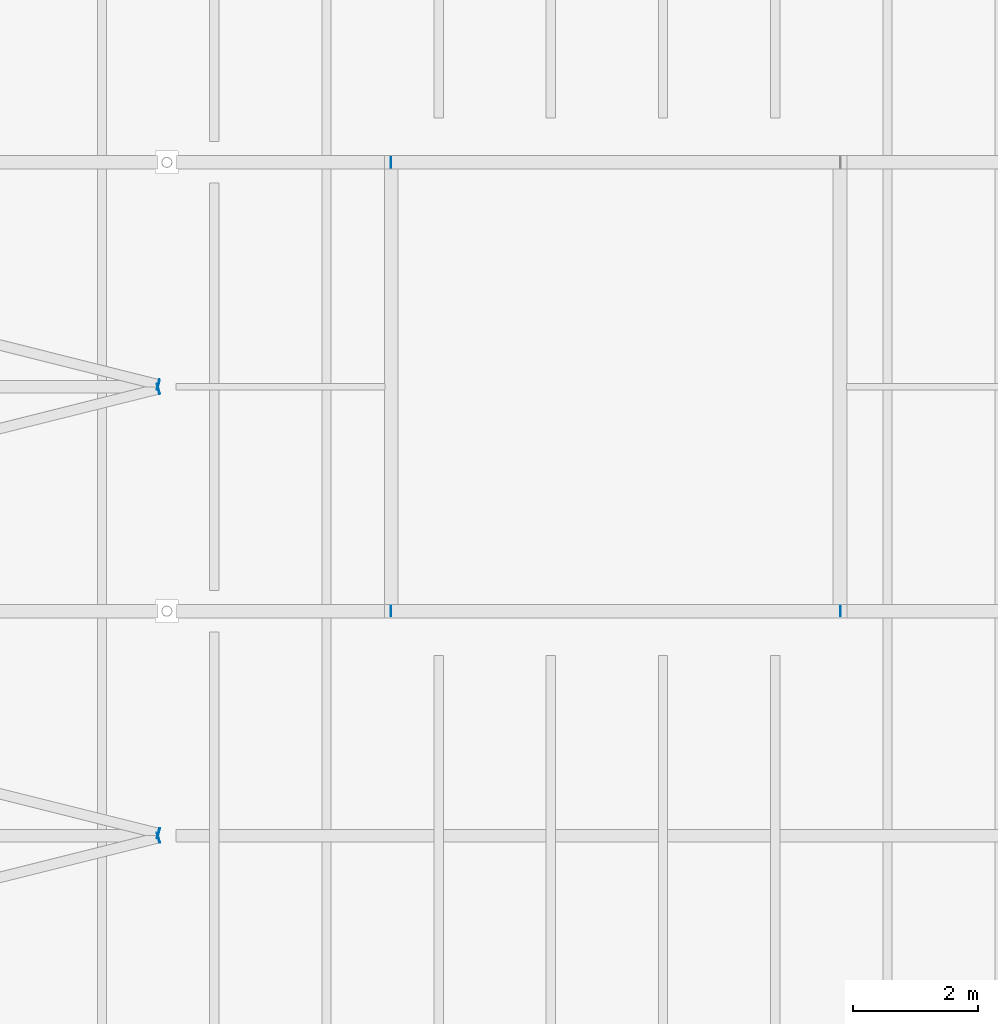
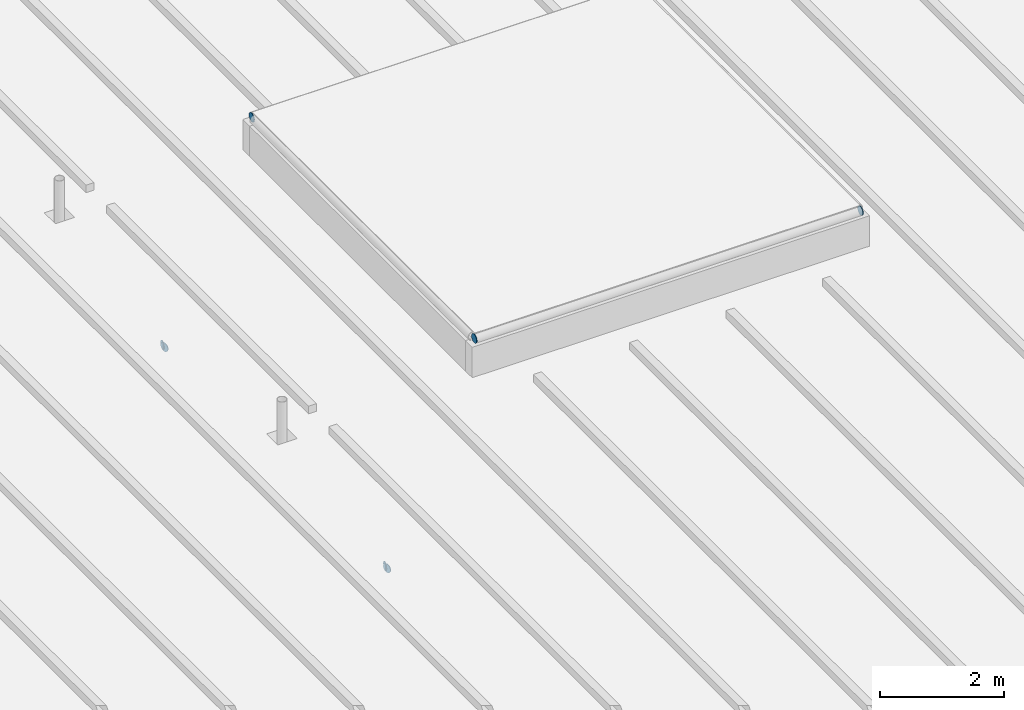
# One storey, part 100 of 120: 7 discrete accessories.
"""IFC4 building model written with IfcOpenShell, lengths in metres."""

from ifc_helpers import new_model, si_unit, direction, frame, origin, origin_2d, place, context, subcontext, project, spatial, circle, extrude, material, layer, layer_set, type_object, element, save


model = new_model("IFC4")

# Units and contexts
model_context = context("Model", 3, precision=1e-05, world=origin(), true_north=direction((0.0, 1.0)))
body_context = subcontext(model_context, "Body", "Model", "MODEL_VIEW")
ifc_project = project(units=[si_unit("LENGTHUNIT", "METRE"), si_unit("AREAUNIT", "SQUARE_METRE"), si_unit("VOLUMEUNIT", "CUBIC_METRE"), si_unit("PLANEANGLEUNIT", "RADIAN"), si_unit("MASSUNIT", "GRAM", prefix="KILO")], contexts=[model_context])

# Site, building, storey
site_placement = place(None, origin())
site = spatial("IfcSite", under=ifc_project, at=site_placement, CompositionType="ELEMENT")
building_placement = place(site_placement, origin())
building = spatial("IfcBuilding", under=site, at=building_placement, Name="Kupolbacken Congress Centre", CompositionType="ELEMENT")
storey_placement = place(building_placement, frame((0.0, 0.0, 21.60009765625)))
storey = spatial("IfcBuildingStorey", under=building, at=storey_placement, Name="L06", CompositionType="ELEMENT", Elevation=21.60009765625)

# Discrete accessories
ifc_material = material(Name="Steel S355", Category="steel")
ifc_layer = layer(ifc_material, 0.011962890625)
ifc_layer_set = layer_set([ifc_layer], Name="Steel S355")
discrete_accessory_type = type_object("IfcDiscreteAccessoryType", Name="EC2 tube end cap plate 168 dia x 12", PredefinedType="BRACKET", material=ifc_layer_set)
for number, where, z_axis, x_axis, name in (
    (1, (165.459228515625, 71.96484375, -0.084228515625), (0.970142500145, 0.242535625036, 0.0), (-0.242535625036, 0.970142500145, 0.0), "End cap plate HR/RB/05-07 B"),
    (2, (165.459228515625, 72.03515625, -0.084228515625), (0.970142500145, -0.242535625036, 0.0), (0.242535625036, 0.970142500145, 0.0), "End cap plate HR/RB/05-08 A"),
    (3, (165.459228515625, 79.164794921875, -0.084228515625), (0.970142500145, 0.242535625036, 0.0), (-0.242535625036, 0.970142500145, 0.0), "End cap plate HR/RB/05-09 B"),
    (4, (165.459228515625, 79.235107421875, -0.084228515625), (0.974732318528, -0.223376156329, 0.0), (0.223376156329, 0.974732318528, 0.0), "End cap plate HR/RB/05-10 A"),
    (5, (169.199951171875, 82.800048828125, 0.944091796875), (-1.0, 0.0, 0.0), (0.0, -1.0, 0.0), "End cap plate RD/RL8/FN A"),
    (6, (169.199951171875, 75.60009765625, 0.944091796875), (-1.0, 0.0, 0.0), (0.0, -1.0, 0.0), "End cap plate RD/RL8/FS A"),
):
    element("IfcDiscreteAccessory", number, at=place(storey_placement, frame(where, z_axis=z_axis, x_axis=x_axis)), inside=storey, type_object=discrete_accessory_type, Name=name, PredefinedType="BRACKET", context=body_context, shape_type="SweptSolid", body=[
        extrude(circle(Radius=0.084228515625, at=origin_2d()), origin(), (0.0, 0.0, 1.0), 0.011962890625),
    ])
discrete_accessory_placement = place(storey_placement, frame((176.39990234375, 75.60009765625, 0.944091796875), z_axis=(1.0, 0.0, 0.0), x_axis=(0.0, 1.0, 0.0)))
element("IfcDiscreteAccessory", 7, at=discrete_accessory_placement, inside=storey, type_object=discrete_accessory_type, Name="End cap plate RD/RL8/FS B", PredefinedType="BRACKET", context=body_context, shape_type="SweptSolid", body=[
    extrude(circle(Radius=0.084228515625, at=origin_2d()), origin(), (0.0, 0.0, 1.0), 0.01220703125),
])

save(model, "model.ifc")
